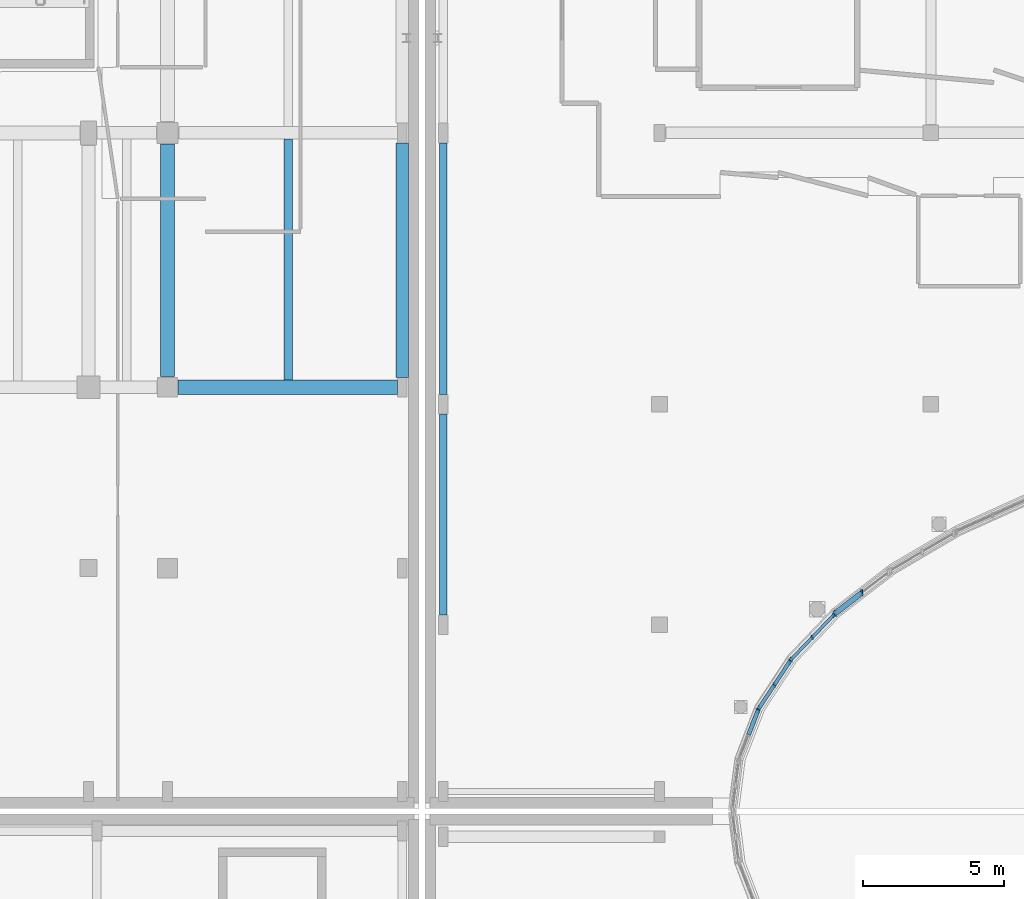
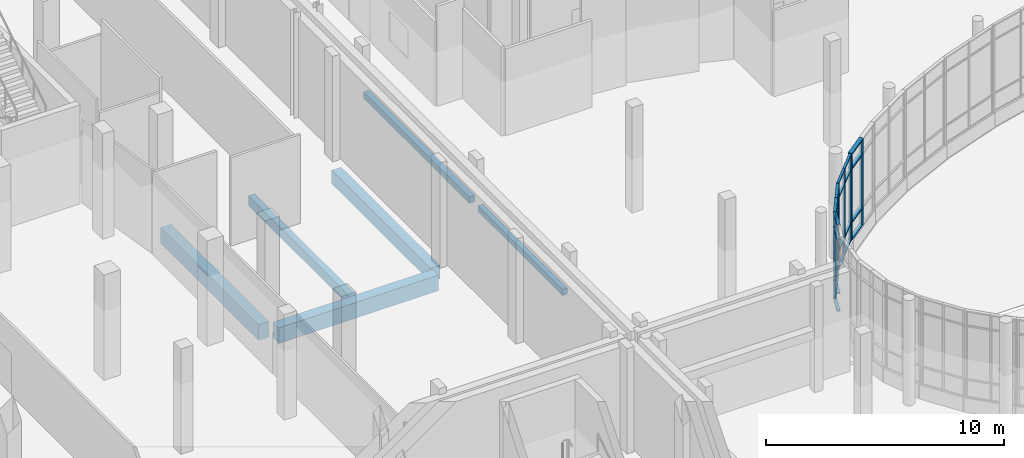
# One storey, part 19 of 84: 33 members, 6 beams, 4 elements without a shape of their own.
"""IFC4 building model written with IfcOpenShell, lengths in metres."""

from ifc_helpers import new_model, si_unit, direction, frame, origin, origin_2d, place, context, subcontext, project, spatial, rectangle, extrude, material, material_profile, profile_set, type_object, element, aggregate, save


model = new_model("IFC4")

# Units and contexts
model_context = context("Model", 3, precision=1e-05, world=origin(), true_north=direction((0.0, 1.0)))
body_context = subcontext(model_context, "Body", "Model", "MODEL_VIEW")
ifc_project = project(units=[si_unit("LENGTHUNIT", "METRE"), si_unit("AREAUNIT", "SQUARE_METRE"), si_unit("VOLUMEUNIT", "CUBIC_METRE"), si_unit("PLANEANGLEUNIT", "RADIAN"), si_unit("MASSUNIT", "GRAM", prefix="KILO")], contexts=[model_context])

# Site, building, storey
site_placement = place(None, origin())
site = spatial("IfcSite", under=ifc_project, at=site_placement, CompositionType="ELEMENT")
building_placement = place(site_placement, origin())
building = spatial("IfcBuilding", under=site, at=building_placement, Name="Mzevani Central Library", CompositionType="ELEMENT")
storey_placement = place(building_placement, origin())
storey = spatial("IfcBuildingStorey", under=building, at=storey_placement, Name="L00", CompositionType="ELEMENT", Elevation=0.0)

# Curtain wall, members
ifc_material_1 = material(Name="Thermally broken aluminium and Low-E triple glazing", Category="aluminium")
curtain_wall_type_1 = type_object("IfcCurtainWallType", Name="Elliptical Court Unitised Curtain Wall", PredefinedType="NOTDEFINED", material=ifc_material_1)
curtain_wall_1_placement = place(storey_placement, origin())
curtain_wall_1 = element("IfcCurtainWall", 1, at=curtain_wall_1_placement, inside=storey, type_object=curtain_wall_type_1, Name="L00 Elliptical Court Curtain Wall 21", PredefinedType="NOTDEFINED")
ifc_material_2 = material(Name="Thermally broken aluminium AW-6060", Category="aluminium")
ifc_material_profile_1 = material_profile(ifc_material_2, rectangle(XDim=0.06005859375, YDim=0.139892578125, at=origin_2d()), Name="ALU M60x140")
ifc_profile_set_1 = profile_set([ifc_material_profile_1], Name="Thermally broken aluminium AW-6060")
member_type_1 = type_object("IfcMemberType", Name="CW Mullion 60x140", PredefinedType="MULLION", material=ifc_profile_set_1)
member_1_placement = place(storey_placement, frame((60.542724609375, 82.924072265625, 0.719970703125), z_axis=(0.0, 0.0, 1.0), x_axis=(1.0, 0.0, 0.0)))
member_1 = element("IfcMember", 2, at=member_1_placement, type_object=member_type_1, Name="L00 Elliptical Court Curtain Wall 21 Mullion 1", PredefinedType="MULLION", context=body_context, shape_type="SweptSolid", body=[
    extrude(rectangle(XDim=0.06005859375, YDim=0.139892578125, at=origin_2d()), origin(), (0.0, 0.0, 1.0), 4.400146484375),
])
member_2_placement = place(storey_placement, frame((59.802001953125, 82.150146484375, 0.719970703125), z_axis=(0.0, 0.0, 1.0), x_axis=(1.0, 0.0, 0.0)))
member_2 = element("IfcMember", 3, at=member_2_placement, type_object=member_type_1, Name="L00 Elliptical Court Curtain Wall 21 Mullion 2", PredefinedType="MULLION", context=body_context, shape_type="SweptSolid", body=[
    extrude(rectangle(XDim=0.06005859375, YDim=0.139892578125, at=origin_2d()), origin(), (0.0, 0.0, 1.0), 4.400146484375),
])
member_3_placement = place(storey_placement, frame((59.061279296875, 81.3759765625, 0.719970703125), z_axis=(0.0, 0.0, 1.0), x_axis=(1.0, 0.0, 0.0)))
member_3 = element("IfcMember", 4, at=member_3_placement, type_object=member_type_1, Name="L00 Elliptical Court Curtain Wall 21 Mullion 3", PredefinedType="MULLION", context=body_context, shape_type="SweptSolid", body=[
    extrude(rectangle(XDim=0.06005859375, YDim=0.139892578125, at=origin_2d()), origin(), (0.0, 0.0, 1.0), 4.400146484375),
])

curtain_wall_type_2 = type_object("IfcCurtainWallType", Name="Reading Hall Northlight Curtain Wall", PredefinedType="NOTDEFINED", material=ifc_material_1)
curtain_wall_2_placement = place(storey_placement, origin())
curtain_wall_2 = element("IfcCurtainWall", 5, at=curtain_wall_2_placement, inside=storey, type_object=curtain_wall_type_2, Name="L00 Elliptical Court Curtain Wall 22", PredefinedType="NOTDEFINED")
ifc_material_profile_2 = material_profile(ifc_material_2, rectangle(XDim=0.06005859375, YDim=0.159912109375, at=origin_2d()), Name="ALU M60x160")
ifc_profile_set_2 = profile_set([ifc_material_profile_2], Name="Thermally broken aluminium AW-6060")
member_type_2 = type_object("IfcMemberType", Name="CW Mullion 60x160", PredefinedType="MULLION", material=ifc_profile_set_2)
member_4_placement = place(storey_placement, frame((58.995849609375, 81.281982421875, 0.719970703125), z_axis=(0.0, 0.0, 1.0), x_axis=(1.0, 0.0, 0.0)))
member_4 = element("IfcMember", 6, at=member_4_placement, type_object=member_type_2, Name="L00 Elliptical Court Curtain Wall 22 Mullion 1", PredefinedType="MULLION", context=body_context, shape_type="SweptSolid", body=[
    extrude(rectangle(XDim=0.06005859375, YDim=0.159912109375, at=origin_2d()), origin(), (0.0, 0.0, 1.0), 4.400146484375),
])
member_5_placement = place(storey_placement, frame((58.4599609375, 80.46826171875, 0.719970703125), z_axis=(0.0, 0.0, 1.0), x_axis=(1.0, 0.0, 0.0)))
member_5 = element("IfcMember", 7, at=member_5_placement, type_object=member_type_2, Name="L00 Elliptical Court Curtain Wall 22 Mullion 2", PredefinedType="MULLION", context=body_context, shape_type="SweptSolid", body=[
    extrude(rectangle(XDim=0.06005859375, YDim=0.159912109375, at=origin_2d()), origin(), (0.0, 0.0, 1.0), 4.400146484375),
])
member_6_placement = place(storey_placement, frame((57.924072265625, 79.654541015625, 0.719970703125), z_axis=(0.0, 0.0, 1.0), x_axis=(1.0, 0.0, 0.0)))
member_6 = element("IfcMember", 8, at=member_6_placement, type_object=member_type_2, Name="L00 Elliptical Court Curtain Wall 22 Mullion 3", PredefinedType="MULLION", context=body_context, shape_type="SweptSolid", body=[
    extrude(rectangle(XDim=0.06005859375, YDim=0.159912109375, at=origin_2d()), origin(), (0.0, 0.0, 1.0), 4.400146484375),
])

# Curtain wall, member
curtain_wall_3_placement = place(storey_placement, origin())
curtain_wall_3 = element("IfcCurtainWall", 9, at=curtain_wall_3_placement, inside=storey, type_object=curtain_wall_type_1, Name="L00 Elliptical Court Curtain Wall 23", PredefinedType="NOTDEFINED")
ifc_material_profile_3 = material_profile(ifc_material_2, rectangle(XDim=0.06005859375, YDim=0.179931640625, at=origin_2d()), Name="ALU M60x180")
ifc_profile_set_3 = profile_set([ifc_material_profile_3], Name="Thermally broken aluminium AW-6060")
member_type_3 = type_object("IfcMemberType", Name="CW Mullion 60x180", PredefinedType="MULLION", material=ifc_profile_set_3)
member_7_placement = place(storey_placement, frame((57.876220703125, 79.550537109375, 0.719970703125), z_axis=(0.0, 0.0, 1.0), x_axis=(1.0, 0.0, 0.0)))
member_7 = element("IfcMember", 10, at=member_7_placement, type_object=member_type_3, Name="L00 Elliptical Court Curtain Wall 23 Mullion 1", PredefinedType="MULLION", context=body_context, shape_type="SweptSolid", body=[
    extrude(rectangle(XDim=0.06005859375, YDim=0.179931640625, at=origin_2d()), origin(), (0.0, 0.0, 1.0), 4.400146484375),
])

# Curtain wall, members
curtain_wall_4_placement = place(storey_placement, origin())
curtain_wall_4 = element("IfcCurtainWall", 11, at=curtain_wall_4_placement, inside=storey, type_object=curtain_wall_type_1, Name="L00 Elliptical Court Curtain Wall 20", PredefinedType="NOTDEFINED")
ifc_material_profile_4 = material_profile(ifc_material_2, rectangle(XDim=0.070068359375, YDim=0.219970703125, at=origin_2d()), Name="ALU M70x220")
ifc_profile_set_4 = profile_set([ifc_material_profile_4], Name="Thermally broken aluminium AW-6060")
member_type_4 = type_object("IfcMemberType", Name="CW Mullion 70x220", PredefinedType="MULLION", material=ifc_profile_set_4)
member_8_placement = place(storey_placement, frame((61.556396484375, 83.72900390625, 0.719970703125), z_axis=(0.0, 0.0, 1.0), x_axis=(1.0, 0.0, 0.0)))
member_8 = element("IfcMember", 12, at=member_8_placement, type_object=member_type_4, Name="L00 Elliptical Court Curtain Wall 20 Mullion 2", PredefinedType="MULLION", context=body_context, shape_type="SweptSolid", body=[
    extrude(rectangle(XDim=0.070068359375, YDim=0.219970703125, at=origin_2d()), origin(), (0.0, 0.0, 1.0), 4.400146484375),
])
member_9_placement = place(storey_placement, frame((60.6220703125, 83.00830078125, 0.719970703125), z_axis=(0.0, 0.0, 1.0), x_axis=(1.0, 0.0, 0.0)))
member_9 = element("IfcMember", 13, at=member_9_placement, type_object=member_type_4, Name="L00 Elliptical Court Curtain Wall 20 Mullion 3", PredefinedType="MULLION", context=body_context, shape_type="SweptSolid", body=[
    extrude(rectangle(XDim=0.070068359375, YDim=0.219970703125, at=origin_2d()), origin(), (0.0, 0.0, 1.0), 4.400146484375),
])

# Member
ifc_material_profile_5 = material_profile(ifc_material_2, rectangle(XDim=0.110107421875, YDim=0.06005859375, at=origin_2d()), Name="ALU T60x110")
ifc_profile_set_5 = profile_set([ifc_material_profile_5], Name="Thermally broken aluminium AW-6060")
member_type_5 = type_object("IfcMemberType", Name="CW Transom 60x110", PredefinedType="USERDEFINED", material=ifc_profile_set_5)
member_10_placement = place(storey_placement, frame((60.577392578125, 82.960205078125, 0.719970703125), z_axis=(-0.691479654035, -0.722395935796, 0.0), x_axis=(0.722395935796, -0.691479654035, 0.0)))
member_10 = element("IfcMember", 14, at=member_10_placement, type_object=member_type_5, Name="L00 Elliptical Court Curtain Wall 21 Transom 1", ObjectType="TRANSOM", PredefinedType="USERDEFINED", context=body_context, shape_type="SweptSolid", body=[
    extrude(rectangle(XDim=0.110107421875, YDim=0.06005859375, at=origin_2d()), origin(), (0.0, 0.0, 1.0), 1.121337890625),
])

member_11_placement = place(storey_placement, frame((60.577392578125, 82.960205078125, 1.6201171875), z_axis=(-0.691479654035, -0.722395935796, 0.0), x_axis=(0.722395935796, -0.691479654035, 0.0)))
member_11 = element("IfcMember", 15, at=member_11_placement, type_object=member_type_5, Name="L00 Elliptical Court Curtain Wall 21 Transom 2", ObjectType="TRANSOM", PredefinedType="USERDEFINED", context=body_context, shape_type="SweptSolid", body=[
    extrude(rectangle(XDim=0.110107421875, YDim=0.06005859375, at=origin_2d()), origin(), (0.0, 0.0, 1.0), 1.121337890625),
])

member_12_placement = place(storey_placement, frame((60.577392578125, 82.960205078125, 4.3701171875), z_axis=(-0.691479654035, -0.722395935796, 0.0), x_axis=(0.722395935796, -0.691479654035, 0.0)))
member_12 = element("IfcMember", 16, at=member_12_placement, type_object=member_type_5, Name="L00 Elliptical Court Curtain Wall 21 Transom 3", ObjectType="TRANSOM", PredefinedType="USERDEFINED", context=body_context, shape_type="SweptSolid", body=[
    extrude(rectangle(XDim=0.110107421875, YDim=0.06005859375, at=origin_2d()), origin(), (0.0, 0.0, 1.0), 1.121337890625),
])

member_13_placement = place(storey_placement, frame((60.577392578125, 82.960205078125, 5.1201171875), z_axis=(-0.691479654035, -0.722395935796, 0.0), x_axis=(0.722395935796, -0.691479654035, 0.0)))
member_13 = element("IfcMember", 17, at=member_13_placement, type_object=member_type_5, Name="L00 Elliptical Court Curtain Wall 21 Transom 4", ObjectType="TRANSOM", PredefinedType="USERDEFINED", context=body_context, shape_type="SweptSolid", body=[
    extrude(rectangle(XDim=0.110107421875, YDim=0.06005859375, at=origin_2d()), origin(), (0.0, 0.0, 1.0), 1.121337890625),
])

member_14_placement = place(storey_placement, frame((59.802001953125, 82.150146484375, 0.719970703125), z_axis=(-0.691257248067, -0.722608757901, 0.0), x_axis=(0.722608757901, -0.691257248067, 0.0)))
member_14 = element("IfcMember", 18, at=member_14_placement, type_object=member_type_5, Name="L00 Elliptical Court Curtain Wall 21 Transom 5", ObjectType="TRANSOM", PredefinedType="USERDEFINED", context=body_context, shape_type="SweptSolid", body=[
    extrude(rectangle(XDim=0.110107421875, YDim=0.06005859375, at=origin_2d()), origin(), (0.0, 0.0, 1.0), 1.121337890625),
])

member_15_placement = place(storey_placement, frame((59.802001953125, 82.150146484375, 1.6201171875), z_axis=(-0.691257248067, -0.722608757901, 0.0), x_axis=(0.722608757901, -0.691257248067, 0.0)))
member_15 = element("IfcMember", 19, at=member_15_placement, type_object=member_type_5, Name="L00 Elliptical Court Curtain Wall 21 Transom 6", ObjectType="TRANSOM", PredefinedType="USERDEFINED", context=body_context, shape_type="SweptSolid", body=[
    extrude(rectangle(XDim=0.110107421875, YDim=0.06005859375, at=origin_2d()), origin(), (0.0, 0.0, 1.0), 1.121337890625),
])

member_16_placement = place(storey_placement, frame((59.802001953125, 82.150146484375, 4.3701171875), z_axis=(-0.691257248067, -0.722608757901, 0.0), x_axis=(0.722608757901, -0.691257248067, 0.0)))
member_16 = element("IfcMember", 20, at=member_16_placement, type_object=member_type_5, Name="L00 Elliptical Court Curtain Wall 21 Transom 7", ObjectType="TRANSOM", PredefinedType="USERDEFINED", context=body_context, shape_type="SweptSolid", body=[
    extrude(rectangle(XDim=0.110107421875, YDim=0.06005859375, at=origin_2d()), origin(), (0.0, 0.0, 1.0), 1.121337890625),
])

member_17_placement = place(storey_placement, frame((59.802001953125, 82.150146484375, 5.1201171875), z_axis=(-0.691257248067, -0.722608757901, 0.0), x_axis=(0.722608757901, -0.691257248067, 0.0)))
member_17 = element("IfcMember", 21, at=member_17_placement, type_object=member_type_5, Name="L00 Elliptical Court Curtain Wall 21 Transom 8", ObjectType="TRANSOM", PredefinedType="USERDEFINED", context=body_context, shape_type="SweptSolid", body=[
    extrude(rectangle(XDim=0.110107421875, YDim=0.06005859375, at=origin_2d()), origin(), (0.0, 0.0, 1.0), 1.121337890625),
])

aggregate(curtain_wall_1, [member_1, member_2, member_3, member_10, member_11, member_12, member_13, member_14, member_15, member_16, member_17])

ifc_material_profile_6 = material_profile(ifc_material_2, rectangle(XDim=0.1298828125, YDim=0.06005859375, at=origin_2d()), Name="ALU T60x130")
ifc_profile_set_6 = profile_set([ifc_material_profile_6], Name="Thermally broken aluminium AW-6060")
member_type_6 = type_object("IfcMemberType", Name="CW Transom 60x130", PredefinedType="USERDEFINED", material=ifc_profile_set_6)
member_18_placement = place(storey_placement, frame((59.023193359375, 81.32373046875, 0.719970703125), z_axis=(-0.54990540845, -0.835226940273, 0.0), x_axis=(0.835226940273, -0.54990540845, 0.0)))
member_18 = element("IfcMember", 22, at=member_18_placement, type_object=member_type_6, Name="L00 Elliptical Court Curtain Wall 22 Transom 1", ObjectType="TRANSOM", PredefinedType="USERDEFINED", context=body_context, shape_type="SweptSolid", body=[
    extrude(rectangle(XDim=0.1298828125, YDim=0.06005859375, at=origin_2d()), origin(), (0.0, 0.0, 1.0), 1.024169921875),
])

member_19_placement = place(storey_placement, frame((59.023193359375, 81.32373046875, 1.6201171875), z_axis=(-0.54990540845, -0.835226940273, 0.0), x_axis=(0.835226940273, -0.54990540845, 0.0)))
member_19 = element("IfcMember", 23, at=member_19_placement, type_object=member_type_6, Name="L00 Elliptical Court Curtain Wall 22 Transom 2", ObjectType="TRANSOM", PredefinedType="USERDEFINED", context=body_context, shape_type="SweptSolid", body=[
    extrude(rectangle(XDim=0.1298828125, YDim=0.06005859375, at=origin_2d()), origin(), (0.0, 0.0, 1.0), 1.024169921875),
])

member_20_placement = place(storey_placement, frame((59.023193359375, 81.32373046875, 4.3701171875), z_axis=(-0.54990540845, -0.835226940273, 0.0), x_axis=(0.835226940273, -0.54990540845, 0.0)))
member_20 = element("IfcMember", 24, at=member_20_placement, type_object=member_type_6, Name="L00 Elliptical Court Curtain Wall 22 Transom 3", ObjectType="TRANSOM", PredefinedType="USERDEFINED", context=body_context, shape_type="SweptSolid", body=[
    extrude(rectangle(XDim=0.1298828125, YDim=0.06005859375, at=origin_2d()), origin(), (0.0, 0.0, 1.0), 1.024169921875),
])

member_21_placement = place(storey_placement, frame((59.023193359375, 81.32373046875, 5.1201171875), z_axis=(-0.54990540845, -0.835226940273, 0.0), x_axis=(0.835226940273, -0.54990540845, 0.0)))
member_21 = element("IfcMember", 25, at=member_21_placement, type_object=member_type_6, Name="L00 Elliptical Court Curtain Wall 22 Transom 4", ObjectType="TRANSOM", PredefinedType="USERDEFINED", context=body_context, shape_type="SweptSolid", body=[
    extrude(rectangle(XDim=0.1298828125, YDim=0.06005859375, at=origin_2d()), origin(), (0.0, 0.0, 1.0), 1.024169921875),
])

member_22_placement = place(storey_placement, frame((58.4599609375, 80.46826171875, 0.719970703125), z_axis=(-0.550071659346, -0.835117458556, 0.0), x_axis=(0.835117458556, -0.550071659346, 0.0)))
member_22 = element("IfcMember", 26, at=member_22_placement, type_object=member_type_6, Name="L00 Elliptical Court Curtain Wall 22 Transom 5", ObjectType="TRANSOM", PredefinedType="USERDEFINED", context=body_context, shape_type="SweptSolid", body=[
    extrude(rectangle(XDim=0.1298828125, YDim=0.06005859375, at=origin_2d()), origin(), (0.0, 0.0, 1.0), 1.0244140625),
])

member_23_placement = place(storey_placement, frame((58.4599609375, 80.46826171875, 1.6201171875), z_axis=(-0.550071659346, -0.835117458556, 0.0), x_axis=(0.835117458556, -0.550071659346, 0.0)))
member_23 = element("IfcMember", 27, at=member_23_placement, type_object=member_type_6, Name="L00 Elliptical Court Curtain Wall 22 Transom 6", ObjectType="TRANSOM", PredefinedType="USERDEFINED", context=body_context, shape_type="SweptSolid", body=[
    extrude(rectangle(XDim=0.1298828125, YDim=0.06005859375, at=origin_2d()), origin(), (0.0, 0.0, 1.0), 1.0244140625),
])

member_24_placement = place(storey_placement, frame((58.4599609375, 80.46826171875, 4.3701171875), z_axis=(-0.550071659346, -0.835117458556, 0.0), x_axis=(0.835117458556, -0.550071659346, 0.0)))
member_24 = element("IfcMember", 28, at=member_24_placement, type_object=member_type_6, Name="L00 Elliptical Court Curtain Wall 22 Transom 7", ObjectType="TRANSOM", PredefinedType="USERDEFINED", context=body_context, shape_type="SweptSolid", body=[
    extrude(rectangle(XDim=0.1298828125, YDim=0.06005859375, at=origin_2d()), origin(), (0.0, 0.0, 1.0), 1.0244140625),
])

member_25_placement = place(storey_placement, frame((58.4599609375, 80.46826171875, 5.1201171875), z_axis=(-0.550071659346, -0.835117458556, 0.0), x_axis=(0.835117458556, -0.550071659346, 0.0)))
member_25 = element("IfcMember", 29, at=member_25_placement, type_object=member_type_6, Name="L00 Elliptical Court Curtain Wall 22 Transom 8", ObjectType="TRANSOM", PredefinedType="USERDEFINED", context=body_context, shape_type="SweptSolid", body=[
    extrude(rectangle(XDim=0.1298828125, YDim=0.06005859375, at=origin_2d()), origin(), (0.0, 0.0, 1.0), 1.0244140625),
])

aggregate(curtain_wall_2, [member_4, member_5, member_6, member_18, member_19, member_20, member_21, member_22, member_23, member_24, member_25])

ifc_material_profile_7 = material_profile(ifc_material_2, rectangle(XDim=0.14990234375, YDim=0.06005859375, at=origin_2d()), Name="ALU T60x150")
ifc_profile_set_7 = profile_set([ifc_material_profile_7], Name="Thermally broken aluminium AW-6060")
member_type_7 = type_object("IfcMemberType", Name="CW Transom 60x150", PredefinedType="USERDEFINED", material=ifc_profile_set_7)
member_26_placement = place(storey_placement, frame((57.894287109375, 79.597412109375, 0.719970703125), z_axis=(-0.360063821231, -0.932927673853, 0.0), x_axis=(0.932927673853, -0.360063821231, 0.0)))
member_26 = element("IfcMember", 30, at=member_26_placement, type_object=member_type_7, Name="L00 Elliptical Court Curtain Wall 23 Transom 1", ObjectType="TRANSOM", PredefinedType="USERDEFINED", context=body_context, shape_type="SweptSolid", body=[
    extrude(rectangle(XDim=0.14990234375, YDim=0.06005859375, at=origin_2d()), origin(), (0.0, 0.0, 1.0), 0.949951171875),
])

member_27_placement = place(storey_placement, frame((57.894287109375, 79.597412109375, 1.6201171875), z_axis=(-0.360063821231, -0.932927673853, 0.0), x_axis=(0.932927673853, -0.360063821231, 0.0)))
member_27 = element("IfcMember", 31, at=member_27_placement, type_object=member_type_7, Name="L00 Elliptical Court Curtain Wall 23 Transom 2", ObjectType="TRANSOM", PredefinedType="USERDEFINED", context=body_context, shape_type="SweptSolid", body=[
    extrude(rectangle(XDim=0.14990234375, YDim=0.06005859375, at=origin_2d()), origin(), (0.0, 0.0, 1.0), 0.949951171875),
])

member_28_placement = place(storey_placement, frame((57.894287109375, 79.597412109375, 4.3701171875), z_axis=(-0.360063821231, -0.932927673853, 0.0), x_axis=(0.932927673853, -0.360063821231, 0.0)))
member_28 = element("IfcMember", 32, at=member_28_placement, type_object=member_type_7, Name="L00 Elliptical Court Curtain Wall 23 Transom 3", ObjectType="TRANSOM", PredefinedType="USERDEFINED", context=body_context, shape_type="SweptSolid", body=[
    extrude(rectangle(XDim=0.14990234375, YDim=0.06005859375, at=origin_2d()), origin(), (0.0, 0.0, 1.0), 0.949951171875),
])

member_29_placement = place(storey_placement, frame((57.894287109375, 79.597412109375, 5.1201171875), z_axis=(-0.360063821231, -0.932927673853, 0.0), x_axis=(0.932927673853, -0.360063821231, 0.0)))
member_29 = element("IfcMember", 33, at=member_29_placement, type_object=member_type_7, Name="L00 Elliptical Court Curtain Wall 23 Transom 4", ObjectType="TRANSOM", PredefinedType="USERDEFINED", context=body_context, shape_type="SweptSolid", body=[
    extrude(rectangle(XDim=0.14990234375, YDim=0.06005859375, at=origin_2d()), origin(), (0.0, 0.0, 1.0), 0.949951171875),
])

aggregate(curtain_wall_3, [member_7, member_26, member_27, member_28, member_29])

ifc_material_profile_8 = material_profile(ifc_material_2, rectangle(XDim=0.18994140625, YDim=0.070068359375, at=origin_2d()), Name="ALU T70x190")
ifc_profile_set_8 = profile_set([ifc_material_profile_8], Name="Thermally broken aluminium AW-6060")
member_type_8 = type_object("IfcMemberType", Name="CW Transom 70x190", PredefinedType="USERDEFINED", material=ifc_profile_set_8)
member_30_placement = place(storey_placement, frame((61.556396484375, 83.72900390625, 0.719970703125), z_axis=(-0.791804197393, -0.610775010123, 0.0), x_axis=(0.610775010123, -0.791804197393, 0.0)))
member_30 = element("IfcMember", 34, at=member_30_placement, type_object=member_type_8, Name="L00 Elliptical Court Curtain Wall 20 Transom 5", ObjectType="TRANSOM", PredefinedType="USERDEFINED", context=body_context, shape_type="SweptSolid", body=[
    extrude(rectangle(XDim=0.18994140625, YDim=0.070068359375, at=origin_2d()), origin(), (0.0, 0.0, 1.0), 1.22998046875),
])

member_31_placement = place(storey_placement, frame((61.556396484375, 83.72900390625, 1.6201171875), z_axis=(-0.791804197393, -0.610775010123, 0.0), x_axis=(0.610775010123, -0.791804197393, 0.0)))
member_31 = element("IfcMember", 35, at=member_31_placement, type_object=member_type_8, Name="L00 Elliptical Court Curtain Wall 20 Transom 6", ObjectType="TRANSOM", PredefinedType="USERDEFINED", context=body_context, shape_type="SweptSolid", body=[
    extrude(rectangle(XDim=0.18994140625, YDim=0.070068359375, at=origin_2d()), origin(), (0.0, 0.0, 1.0), 1.22998046875),
])

member_32_placement = place(storey_placement, frame((61.556396484375, 83.72900390625, 4.3701171875), z_axis=(-0.791804197393, -0.610775010123, 0.0), x_axis=(0.610775010123, -0.791804197393, 0.0)))
member_32 = element("IfcMember", 36, at=member_32_placement, type_object=member_type_8, Name="L00 Elliptical Court Curtain Wall 20 Transom 7", ObjectType="TRANSOM", PredefinedType="USERDEFINED", context=body_context, shape_type="SweptSolid", body=[
    extrude(rectangle(XDim=0.18994140625, YDim=0.070068359375, at=origin_2d()), origin(), (0.0, 0.0, 1.0), 1.22998046875),
])

member_33_placement = place(storey_placement, frame((61.556396484375, 83.72900390625, 5.1201171875), z_axis=(-0.791804197393, -0.610775010123, 0.0), x_axis=(0.610775010123, -0.791804197393, 0.0)))
member_33 = element("IfcMember", 37, at=member_33_placement, type_object=member_type_8, Name="L00 Elliptical Court Curtain Wall 20 Transom 8", ObjectType="TRANSOM", PredefinedType="USERDEFINED", context=body_context, shape_type="SweptSolid", body=[
    extrude(rectangle(XDim=0.18994140625, YDim=0.070068359375, at=origin_2d()), origin(), (0.0, 0.0, 1.0), 1.22998046875),
])

aggregate(curtain_wall_4, [member_8, member_9, member_30, member_31, member_32, member_33])

# Beams
ifc_material_3 = material(Name="Precast concrete C40/50", Category="concrete")
ifc_material_profile_9 = material_profile(ifc_material_3, rectangle(XDim=0.25, YDim=0.300048828125, at=origin_2d()), Name="PC LN250x300")
ifc_profile_set_9 = profile_set([ifc_material_profile_9], Name="Precast concrete C40/50")
beam_type_1 = type_object("IfcBeamType", Name="Precast Window Lintel 250x300", PredefinedType="LINTEL", material=ifc_profile_set_9)
beam_1_placement = place(storey_placement, frame((46.75, 82.949951171875, 2.89990234375), z_axis=(0.0, 1.0, 0.0), x_axis=(-1.0, 0.0, 0.0)))
element("IfcBeam", 38, at=beam_1_placement, inside=storey, type_object=beam_type_1, Name="L00 V3 Precast Portal Lintel (32)", PredefinedType="LINTEL", context=body_context, shape_type="SweptSolid", body=[
    extrude(rectangle(XDim=0.25, YDim=0.300048828125, at=origin_2d()), origin(), (0.0, 0.0, 1.0), 7.10009765625),
])
ifc_material_profile_10 = material_profile(ifc_material_3, rectangle(XDim=0.280029296875, YDim=0.320068359375, at=origin_2d()), Name="PC LN280x320")
ifc_profile_set_10 = profile_set([ifc_material_profile_10], Name="Precast concrete C40/50")
beam_type_2 = type_object("IfcBeamType", Name="Precast Window Lintel 280x320", PredefinedType="LINTEL", material=ifc_profile_set_10)
beam_2_placement = place(storey_placement, frame((46.75, 90.75, 2.909912109375), z_axis=(0.0, 1.0, 0.0), x_axis=(-1.0, 0.0, 0.0)))
element("IfcBeam", 39, at=beam_2_placement, inside=storey, type_object=beam_type_2, Name="L00 V3 Precast Portal Lintel (33)", PredefinedType="LINTEL", context=body_context, shape_type="SweptSolid", body=[
    extrude(rectangle(XDim=0.280029296875, YDim=0.320068359375, at=origin_2d()), origin(), (0.0, 0.0, 1.0), 8.89990234375),
])
ifc_material_4 = material(Name="Concrete C40/50", Category="concrete")
ifc_material_profile_11 = material_profile(ifc_material_4, rectangle(XDim=0.449951171875, YDim=0.699951171875, at=origin_2d()), Name="RC B450x700")
ifc_profile_set_11 = profile_set([ifc_material_profile_11], Name="Concrete C40/50")
beam_type_3 = type_object("IfcBeamType", Name="Stack Girder RC 450x700", PredefinedType="BEAM", material=ifc_profile_set_11)
beam_3_placement = place(storey_placement, frame((45.300048828125, 91.35009765625, -0.75), z_axis=(0.0, 1.0, 0.0), x_axis=(-1.0, 0.0, 0.0)))
element("IfcBeam", 40, at=beam_3_placement, inside=storey, type_object=beam_type_3, Name="L00 V2 Frame Beam BG-01 (196)", PredefinedType="BEAM", context=body_context, shape_type="SweptSolid", body=[
    extrude(rectangle(XDim=0.449951171875, YDim=0.699951171875, at=origin_2d()), origin(), (0.0, 0.0, 1.0), 8.2998046875),
])
ifc_material_profile_12 = material_profile(ifc_material_4, rectangle(XDim=0.5, YDim=0.800048828125, at=origin_2d()), Name="RC B500x800")
ifc_profile_set_12 = profile_set([ifc_material_profile_12], Name="Concrete C40/50")
beam_type_4 = type_object("IfcBeamType", Name="Stack Girder RC 500x800", PredefinedType="BEAM", material=ifc_profile_set_12)
beam_4_placement = place(storey_placement, frame((37.375, 91.0, -0.800048828125), z_axis=(1.0, 0.0, 0.0), x_axis=(0.0, 1.0, 0.0)))
element("IfcBeam", 41, at=beam_4_placement, inside=storey, type_object=beam_type_4, Name="L00 V2 Girder BG-05 (179)", PredefinedType="BEAM", context=body_context, shape_type="SweptSolid", body=[
    extrude(rectangle(XDim=0.5, YDim=0.800048828125, at=origin_2d()), origin(), (0.0, 0.0, 1.0), 7.75),
])
beam_5_placement = place(storey_placement, frame((37.0, 91.375, -0.800048828125), z_axis=(0.0, 1.0, 0.0), x_axis=(-1.0, 0.0, 0.0)))
element("IfcBeam", 42, at=beam_5_placement, inside=storey, type_object=beam_type_4, Name="L00 V2 Frame Beam BG-05 (193)", PredefinedType="BEAM", context=body_context, shape_type="SweptSolid", body=[
    extrude(rectangle(XDim=0.5, YDim=0.800048828125, at=origin_2d()), origin(), (0.0, 0.0, 1.0), 8.22509765625),
])
ifc_material_profile_13 = material_profile(ifc_material_4, rectangle(XDim=0.300048828125, YDim=0.52001953125, at=origin_2d()), Name="RC J300x520")
ifc_profile_set_13 = profile_set([ifc_material_profile_13], Name="Concrete C40/50")
beam_type_5 = type_object("IfcBeamType", Name="Stack Joist RC 300x520", PredefinedType="JOIST", material=ifc_profile_set_13)
beam_6_placement = place(storey_placement, frame((41.262451171875, 91.25, -0.659912109375), z_axis=(0.0, 1.0, 0.0), x_axis=(-1.0, 0.0, 0.0)))
element("IfcBeam", 43, at=beam_6_placement, inside=storey, type_object=beam_type_5, Name="L00 V2 Floor Joist BJ-04 (201)", PredefinedType="JOIST", context=body_context, shape_type="SweptSolid", body=[
    extrude(rectangle(XDim=0.300048828125, YDim=0.52001953125, at=origin_2d()), origin(), (0.0, 0.0, 1.0), 8.52490234375),
])

save(model, "model.ifc")
